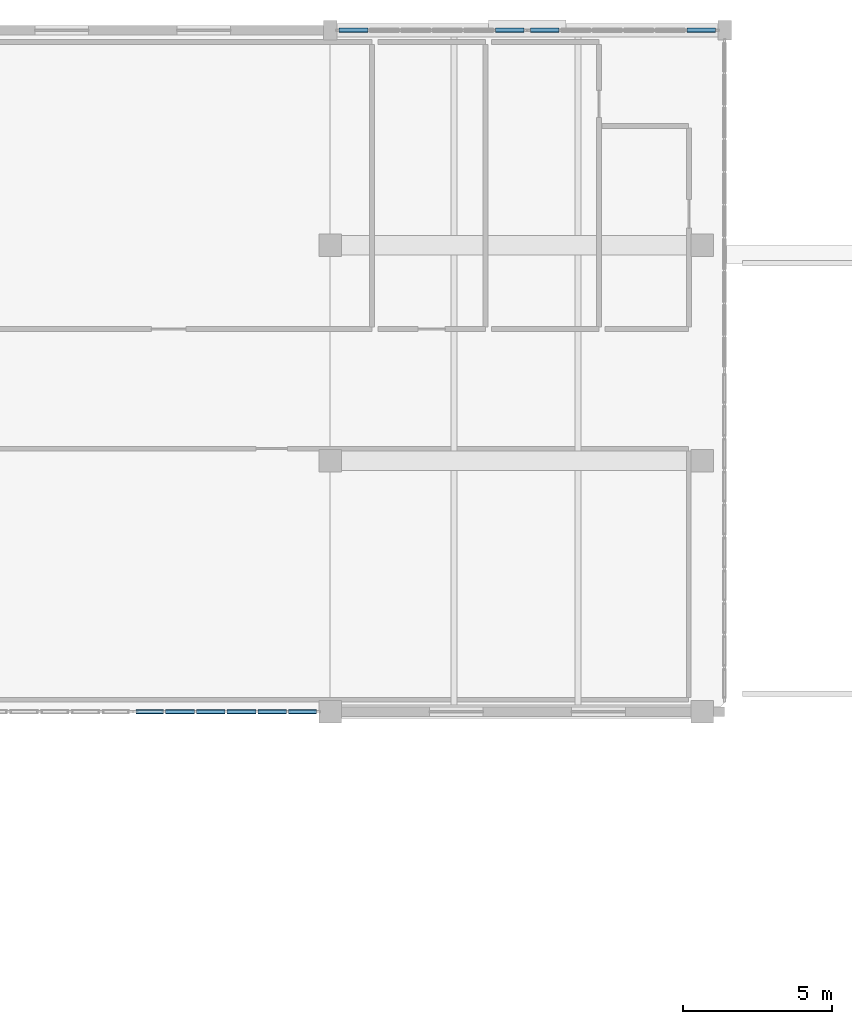
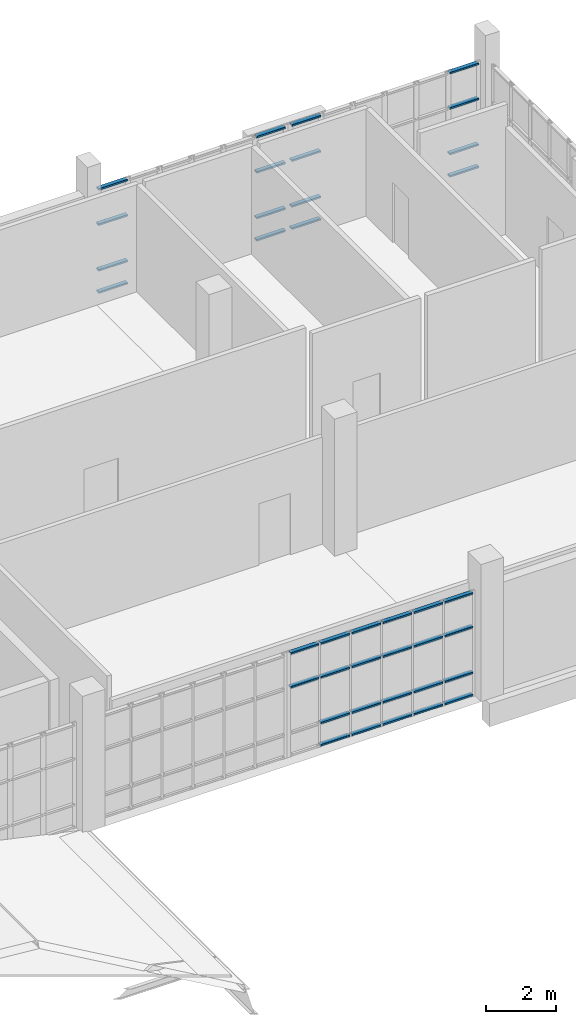
# One storey, part 65 of 106: 38 members, 3 elements without a shape of their own.
"""IFC4 building model written with IfcOpenShell, lengths in metres."""

from ifc_helpers import new_model, si_unit, direction, frame, origin, origin_2d, place, context, subcontext, project, spatial, hollow_rectangle, extrude, material, layer, layer_set, material_profile, profile_set, type_object, element, aggregate, save


model = new_model("IFC4")

# Units and contexts
model_context = context("Model", 3, precision=1e-05, world=origin(), true_north=direction((0.0, 1.0)))
body_context = subcontext(model_context, "Body", "Model", "MODEL_VIEW")
ifc_project = project(units=[si_unit("LENGTHUNIT", "METRE"), si_unit("AREAUNIT", "SQUARE_METRE"), si_unit("VOLUMEUNIT", "CUBIC_METRE"), si_unit("PLANEANGLEUNIT", "RADIAN"), si_unit("MASSUNIT", "GRAM", prefix="KILO")], contexts=[model_context])

# Site, building, storey
site_placement = place(None, origin())
site = spatial("IfcSite", under=ifc_project, at=site_placement, CompositionType="ELEMENT")
building_placement = place(site_placement, origin())
building = spatial("IfcBuilding", under=site, at=building_placement, Name="Kisaragi Civic Commons", CompositionType="ELEMENT")
storey_placement = place(building_placement, frame((0.0, 0.0, 4.800048828125)))
storey = spatial("IfcBuildingStorey", under=building, at=storey_placement, Name="L01", CompositionType="ELEMENT", Elevation=4.800048828125)

# Curtain wall, members
ifc_material = material(Name="Thermally broken anodized aluminium and low-E double glazing", Category="aluminium")
ifc_layer = layer(ifc_material, 0.179931640625, Name="Thermally broken anodized aluminium and low-E double glazing", Category="aluminium")
ifc_layer_set = layer_set([ifc_layer], Name="Thermally broken anodized aluminium and low-E double glazing")
curtain_wall_type = type_object("IfcCurtainWallType", Name="CW-01", PredefinedType="NOTDEFINED", material=ifc_layer_set)
curtain_wall_1_placement = place(storey_placement, origin())
curtain_wall_1 = element("IfcCurtainWall", 1, at=curtain_wall_1_placement, inside=storey, type_object=curtain_wall_type, Name="L01 curtain wall CW-01 CW-V4-L01-069", PredefinedType="NOTDEFINED")
ifc_material_profile = material_profile(ifc_material, hollow_rectangle(XDim=0.139892578125, YDim=0.06494140625, WallThickness=0.00439453125, InnerFilletRadius=0.00439453125, OuterFilletRadius=0.009033203125, at=origin_2d()), Name="CWT-65x140x4.5", Category="aluminium")
ifc_profile_set = profile_set([ifc_material_profile], Name="Thermally broken anodized aluminium and low-E double glazing")
member_type = type_object("IfcMemberType", Name="CWT-02", PredefinedType="USERDEFINED", material=ifc_profile_set)
member_1_placement = place(storey_placement, frame((146.705078125, 118.800048828125, 0.070068359375), z_axis=(1.0, 0.0, 0.0), x_axis=(0.0, 1.0, 0.0)))
member_1 = element("IfcMember", 2, at=member_1_placement, type_object=member_type, Name="CW-01 transom 1.1", ObjectType="TRANSOM", PredefinedType="USERDEFINED", context=body_context, shape_type="SweptSolid", body=[
    extrude(hollow_rectangle(XDim=0.139892578125, YDim=0.06494140625, WallThickness=0.00439453125, InnerFilletRadius=0.00439453125, OuterFilletRadius=0.009033203125, at=origin_2d()), origin(), (0.0, 0.0, 1.0), 0.955810546875),
])
member_2_placement = place(storey_placement, frame((146.705078125, 118.800048828125, 0.849853515625), z_axis=(1.0, 0.0, 0.0), x_axis=(0.0, 1.0, 0.0)))
member_2 = element("IfcMember", 3, at=member_2_placement, type_object=member_type, Name="CW-01 transom 1.2", ObjectType="TRANSOM", PredefinedType="USERDEFINED", context=body_context, shape_type="SweptSolid", body=[
    extrude(hollow_rectangle(XDim=0.139892578125, YDim=0.06494140625, WallThickness=0.00439453125, InnerFilletRadius=0.00439453125, OuterFilletRadius=0.009033203125, at=origin_2d()), origin(), (0.0, 0.0, 1.0), 0.955810546875),
])
member_3_placement = place(storey_placement, frame((146.705078125, 118.800048828125, 2.449951171875), z_axis=(1.0, 0.0, 0.0), x_axis=(0.0, 1.0, 0.0)))
member_3 = element("IfcMember", 4, at=member_3_placement, type_object=member_type, Name="CW-01 transom 1.3", ObjectType="TRANSOM", PredefinedType="USERDEFINED", context=body_context, shape_type="SweptSolid", body=[
    extrude(hollow_rectangle(XDim=0.139892578125, YDim=0.06494140625, WallThickness=0.00439453125, InnerFilletRadius=0.00439453125, OuterFilletRadius=0.009033203125, at=origin_2d()), origin(), (0.0, 0.0, 1.0), 0.955810546875),
])
member_4_placement = place(storey_placement, frame((146.705078125, 118.800048828125, 3.68505859375), z_axis=(1.0, 0.0, 0.0), x_axis=(0.0, 1.0, 0.0)))
member_4 = element("IfcMember", 5, at=member_4_placement, type_object=member_type, Name="CW-01 transom 1.4", ObjectType="TRANSOM", PredefinedType="USERDEFINED", context=body_context, shape_type="SweptSolid", body=[
    extrude(hollow_rectangle(XDim=0.139892578125, YDim=0.06494140625, WallThickness=0.00439453125, InnerFilletRadius=0.00439453125, OuterFilletRadius=0.009033203125, at=origin_2d()), origin(), (0.0, 0.0, 1.0), 0.955810546875),
])
member_5_placement = place(storey_placement, frame((151.939208984375, 118.800048828125, 0.070068359375), z_axis=(1.0, 0.0, 0.0), x_axis=(0.0, 1.0, 0.0)))
member_5 = element("IfcMember", 6, at=member_5_placement, type_object=member_type, Name="CW-01 transom 6.1", ObjectType="TRANSOM", PredefinedType="USERDEFINED", context=body_context, shape_type="SweptSolid", body=[
    extrude(hollow_rectangle(XDim=0.139892578125, YDim=0.06494140625, WallThickness=0.00439453125, InnerFilletRadius=0.00439453125, OuterFilletRadius=0.009033203125, at=origin_2d()), origin(), (0.0, 0.0, 1.0), 0.955810546875),
])
member_6_placement = place(storey_placement, frame((151.939208984375, 118.800048828125, 0.849853515625), z_axis=(1.0, 0.0, 0.0), x_axis=(0.0, 1.0, 0.0)))
member_6 = element("IfcMember", 7, at=member_6_placement, type_object=member_type, Name="CW-01 transom 6.2", ObjectType="TRANSOM", PredefinedType="USERDEFINED", context=body_context, shape_type="SweptSolid", body=[
    extrude(hollow_rectangle(XDim=0.139892578125, YDim=0.06494140625, WallThickness=0.00439453125, InnerFilletRadius=0.00439453125, OuterFilletRadius=0.009033203125, at=origin_2d()), origin(), (0.0, 0.0, 1.0), 0.955810546875),
])
member_7_placement = place(storey_placement, frame((151.939208984375, 118.800048828125, 2.449951171875), z_axis=(1.0, 0.0, 0.0), x_axis=(0.0, 1.0, 0.0)))
member_7 = element("IfcMember", 8, at=member_7_placement, type_object=member_type, Name="CW-01 transom 6.3", ObjectType="TRANSOM", PredefinedType="USERDEFINED", context=body_context, shape_type="SweptSolid", body=[
    extrude(hollow_rectangle(XDim=0.139892578125, YDim=0.06494140625, WallThickness=0.00439453125, InnerFilletRadius=0.00439453125, OuterFilletRadius=0.009033203125, at=origin_2d()), origin(), (0.0, 0.0, 1.0), 0.955810546875),
])
member_8_placement = place(storey_placement, frame((151.939208984375, 118.800048828125, 3.68505859375), z_axis=(1.0, 0.0, 0.0), x_axis=(0.0, 1.0, 0.0)))
member_8 = element("IfcMember", 9, at=member_8_placement, type_object=member_type, Name="CW-01 transom 6.4", ObjectType="TRANSOM", PredefinedType="USERDEFINED", context=body_context, shape_type="SweptSolid", body=[
    extrude(hollow_rectangle(XDim=0.139892578125, YDim=0.06494140625, WallThickness=0.00439453125, InnerFilletRadius=0.00439453125, OuterFilletRadius=0.009033203125, at=origin_2d()), origin(), (0.0, 0.0, 1.0), 0.955810546875),
])
aggregate(curtain_wall_1, [member_1, member_2, member_3, member_4, member_5, member_6, member_7, member_8])

curtain_wall_2_placement = place(storey_placement, origin())
curtain_wall_2 = element("IfcCurtainWall", 10, at=curtain_wall_2_placement, inside=storey, type_object=curtain_wall_type, Name="L01 curtain wall CW-01 CW-V4-L01-070", PredefinedType="NOTDEFINED")
member_9_placement = place(storey_placement, frame((153.10498046875, 118.800048828125, 0.070068359375), z_axis=(1.0, 0.0, 0.0), x_axis=(0.0, 1.0, 0.0)))
member_9 = element("IfcMember", 11, at=member_9_placement, type_object=member_type, Name="CW-01 transom 1.1", ObjectType="TRANSOM", PredefinedType="USERDEFINED", context=body_context, shape_type="SweptSolid", body=[
    extrude(hollow_rectangle(XDim=0.139892578125, YDim=0.06494140625, WallThickness=0.00439453125, InnerFilletRadius=0.00439453125, OuterFilletRadius=0.009033203125, at=origin_2d()), origin(), (0.0, 0.0, 1.0), 0.955810546875),
])
member_10_placement = place(storey_placement, frame((153.10498046875, 118.800048828125, 0.849853515625), z_axis=(1.0, 0.0, 0.0), x_axis=(0.0, 1.0, 0.0)))
member_10 = element("IfcMember", 12, at=member_10_placement, type_object=member_type, Name="CW-01 transom 1.2", ObjectType="TRANSOM", PredefinedType="USERDEFINED", context=body_context, shape_type="SweptSolid", body=[
    extrude(hollow_rectangle(XDim=0.139892578125, YDim=0.06494140625, WallThickness=0.00439453125, InnerFilletRadius=0.00439453125, OuterFilletRadius=0.009033203125, at=origin_2d()), origin(), (0.0, 0.0, 1.0), 0.955810546875),
])
member_11_placement = place(storey_placement, frame((153.10498046875, 118.800048828125, 2.449951171875), z_axis=(1.0, 0.0, 0.0), x_axis=(0.0, 1.0, 0.0)))
member_11 = element("IfcMember", 13, at=member_11_placement, type_object=member_type, Name="CW-01 transom 1.3", ObjectType="TRANSOM", PredefinedType="USERDEFINED", context=body_context, shape_type="SweptSolid", body=[
    extrude(hollow_rectangle(XDim=0.139892578125, YDim=0.06494140625, WallThickness=0.00439453125, InnerFilletRadius=0.00439453125, OuterFilletRadius=0.009033203125, at=origin_2d()), origin(), (0.0, 0.0, 1.0), 0.955810546875),
])
member_12_placement = place(storey_placement, frame((153.10498046875, 118.800048828125, 3.68505859375), z_axis=(1.0, 0.0, 0.0), x_axis=(0.0, 1.0, 0.0)))
member_12 = element("IfcMember", 14, at=member_12_placement, type_object=member_type, Name="CW-01 transom 1.4", ObjectType="TRANSOM", PredefinedType="USERDEFINED", context=body_context, shape_type="SweptSolid", body=[
    extrude(hollow_rectangle(XDim=0.139892578125, YDim=0.06494140625, WallThickness=0.00439453125, InnerFilletRadius=0.00439453125, OuterFilletRadius=0.009033203125, at=origin_2d()), origin(), (0.0, 0.0, 1.0), 0.955810546875),
])
member_13_placement = place(storey_placement, frame((158.339111328125, 118.800048828125, 0.070068359375), z_axis=(1.0, 0.0, 0.0), x_axis=(0.0, 1.0, 0.0)))
member_13 = element("IfcMember", 15, at=member_13_placement, type_object=member_type, Name="CW-01 transom 6.1", ObjectType="TRANSOM", PredefinedType="USERDEFINED", context=body_context, shape_type="SweptSolid", body=[
    extrude(hollow_rectangle(XDim=0.139892578125, YDim=0.06494140625, WallThickness=0.00439453125, InnerFilletRadius=0.00439453125, OuterFilletRadius=0.009033203125, at=origin_2d()), origin(), (0.0, 0.0, 1.0), 0.955810546875),
])
member_14_placement = place(storey_placement, frame((158.339111328125, 118.800048828125, 0.849853515625), z_axis=(1.0, 0.0, 0.0), x_axis=(0.0, 1.0, 0.0)))
member_14 = element("IfcMember", 16, at=member_14_placement, type_object=member_type, Name="CW-01 transom 6.2", ObjectType="TRANSOM", PredefinedType="USERDEFINED", context=body_context, shape_type="SweptSolid", body=[
    extrude(hollow_rectangle(XDim=0.139892578125, YDim=0.06494140625, WallThickness=0.00439453125, InnerFilletRadius=0.00439453125, OuterFilletRadius=0.009033203125, at=origin_2d()), origin(), (0.0, 0.0, 1.0), 0.955810546875),
])
member_15_placement = place(storey_placement, frame((158.339111328125, 118.800048828125, 2.449951171875), z_axis=(1.0, 0.0, 0.0), x_axis=(0.0, 1.0, 0.0)))
member_15 = element("IfcMember", 17, at=member_15_placement, type_object=member_type, Name="CW-01 transom 6.3", ObjectType="TRANSOM", PredefinedType="USERDEFINED", context=body_context, shape_type="SweptSolid", body=[
    extrude(hollow_rectangle(XDim=0.139892578125, YDim=0.06494140625, WallThickness=0.00439453125, InnerFilletRadius=0.00439453125, OuterFilletRadius=0.009033203125, at=origin_2d()), origin(), (0.0, 0.0, 1.0), 0.955810546875),
])
member_16_placement = place(storey_placement, frame((158.339111328125, 118.800048828125, 3.68505859375), z_axis=(1.0, 0.0, 0.0), x_axis=(0.0, 1.0, 0.0)))
member_16 = element("IfcMember", 18, at=member_16_placement, type_object=member_type, Name="CW-01 transom 6.4", ObjectType="TRANSOM", PredefinedType="USERDEFINED", context=body_context, shape_type="SweptSolid", body=[
    extrude(hollow_rectangle(XDim=0.139892578125, YDim=0.06494140625, WallThickness=0.00439453125, InnerFilletRadius=0.00439453125, OuterFilletRadius=0.009033203125, at=origin_2d()), origin(), (0.0, 0.0, 1.0), 0.955810546875),
])
aggregate(curtain_wall_2, [member_9, member_10, member_11, member_12, member_13, member_14, member_15, member_16])

curtain_wall_3_placement = place(storey_placement, origin())
curtain_wall_3 = element("IfcCurtainWall", 19, at=curtain_wall_3_placement, inside=storey, type_object=curtain_wall_type, Name="L01 curtain wall CW-01 CW-V4-L01-073", PredefinedType="NOTDEFINED")
member_17_placement = place(storey_placement, frame((145.945068359375, 96.0, 0.070068359375), z_axis=(-1.0, 0.0, 0.0), x_axis=(0.0, -1.0, 0.0)))
member_17 = element("IfcMember", 20, at=member_17_placement, type_object=member_type, Name="CW-01 transom 1.1", ObjectType="TRANSOM", PredefinedType="USERDEFINED", context=body_context, shape_type="SweptSolid", body=[
    extrude(hollow_rectangle(XDim=0.139892578125, YDim=0.06494140625, WallThickness=0.00439453125, InnerFilletRadius=0.00439453125, OuterFilletRadius=0.009033203125, at=origin_2d()), origin(), (0.0, 0.0, 1.0), 0.930908203125),
])
member_18_placement = place(storey_placement, frame((145.945068359375, 96.0, 0.849853515625), z_axis=(-1.0, 0.0, 0.0), x_axis=(0.0, -1.0, 0.0)))
member_18 = element("IfcMember", 21, at=member_18_placement, type_object=member_type, Name="CW-01 transom 1.2", ObjectType="TRANSOM", PredefinedType="USERDEFINED", context=body_context, shape_type="SweptSolid", body=[
    extrude(hollow_rectangle(XDim=0.139892578125, YDim=0.06494140625, WallThickness=0.00439453125, InnerFilletRadius=0.00439453125, OuterFilletRadius=0.009033203125, at=origin_2d()), origin(), (0.0, 0.0, 1.0), 0.930908203125),
])
member_19_placement = place(storey_placement, frame((145.945068359375, 96.0, 2.449951171875), z_axis=(-1.0, 0.0, 0.0), x_axis=(0.0, -1.0, 0.0)))
member_19 = element("IfcMember", 22, at=member_19_placement, type_object=member_type, Name="CW-01 transom 1.3", ObjectType="TRANSOM", PredefinedType="USERDEFINED", context=body_context, shape_type="SweptSolid", body=[
    extrude(hollow_rectangle(XDim=0.139892578125, YDim=0.06494140625, WallThickness=0.00439453125, InnerFilletRadius=0.00439453125, OuterFilletRadius=0.009033203125, at=origin_2d()), origin(), (0.0, 0.0, 1.0), 0.930908203125),
])
member_20_placement = place(storey_placement, frame((145.945068359375, 96.0, 3.635009765625), z_axis=(-1.0, 0.0, 0.0), x_axis=(0.0, -1.0, 0.0)))
member_20 = element("IfcMember", 23, at=member_20_placement, type_object=member_type, Name="CW-01 transom 1.4", ObjectType="TRANSOM", PredefinedType="USERDEFINED", context=body_context, shape_type="SweptSolid", body=[
    extrude(hollow_rectangle(XDim=0.139892578125, YDim=0.06494140625, WallThickness=0.00439453125, InnerFilletRadius=0.00439453125, OuterFilletRadius=0.009033203125, at=origin_2d()), origin(), (0.0, 0.0, 1.0), 0.930908203125),
])
member_21_placement = place(storey_placement, frame((144.94921875, 96.0, 0.070068359375), z_axis=(-1.0, 0.0, 0.0), x_axis=(0.0, -1.0, 0.0)))
member_21 = element("IfcMember", 24, at=member_21_placement, type_object=member_type, Name="CW-01 transom 2.1", ObjectType="TRANSOM", PredefinedType="USERDEFINED", context=body_context, shape_type="SweptSolid", body=[
    extrude(hollow_rectangle(XDim=0.139892578125, YDim=0.06494140625, WallThickness=0.00439453125, InnerFilletRadius=0.00439453125, OuterFilletRadius=0.009033203125, at=origin_2d()), origin(), (0.0, 0.0, 1.0), 0.96337890625),
])
member_22_placement = place(storey_placement, frame((144.94921875, 96.0, 0.849853515625), z_axis=(-1.0, 0.0, 0.0), x_axis=(0.0, -1.0, 0.0)))
member_22 = element("IfcMember", 25, at=member_22_placement, type_object=member_type, Name="CW-01 transom 2.2", ObjectType="TRANSOM", PredefinedType="USERDEFINED", context=body_context, shape_type="SweptSolid", body=[
    extrude(hollow_rectangle(XDim=0.139892578125, YDim=0.06494140625, WallThickness=0.00439453125, InnerFilletRadius=0.00439453125, OuterFilletRadius=0.009033203125, at=origin_2d()), origin(), (0.0, 0.0, 1.0), 0.96337890625),
])
member_23_placement = place(storey_placement, frame((144.94921875, 96.0, 2.449951171875), z_axis=(-1.0, 0.0, 0.0), x_axis=(0.0, -1.0, 0.0)))
member_23 = element("IfcMember", 26, at=member_23_placement, type_object=member_type, Name="CW-01 transom 2.3", ObjectType="TRANSOM", PredefinedType="USERDEFINED", context=body_context, shape_type="SweptSolid", body=[
    extrude(hollow_rectangle(XDim=0.139892578125, YDim=0.06494140625, WallThickness=0.00439453125, InnerFilletRadius=0.00439453125, OuterFilletRadius=0.009033203125, at=origin_2d()), origin(), (0.0, 0.0, 1.0), 0.96337890625),
])
member_24_placement = place(storey_placement, frame((144.94921875, 96.0, 3.635009765625), z_axis=(-1.0, 0.0, 0.0), x_axis=(0.0, -1.0, 0.0)))
member_24 = element("IfcMember", 27, at=member_24_placement, type_object=member_type, Name="CW-01 transom 2.4", ObjectType="TRANSOM", PredefinedType="USERDEFINED", context=body_context, shape_type="SweptSolid", body=[
    extrude(hollow_rectangle(XDim=0.139892578125, YDim=0.06494140625, WallThickness=0.00439453125, InnerFilletRadius=0.00439453125, OuterFilletRadius=0.009033203125, at=origin_2d()), origin(), (0.0, 0.0, 1.0), 0.96337890625),
])
member_25_placement = place(storey_placement, frame((143.9208984375, 96.0, 0.070068359375), z_axis=(-1.0, 0.0, 0.0), x_axis=(0.0, -1.0, 0.0)))
member_25 = element("IfcMember", 28, at=member_25_placement, type_object=member_type, Name="CW-01 transom 3.1", ObjectType="TRANSOM", PredefinedType="USERDEFINED", context=body_context, shape_type="SweptSolid", body=[
    extrude(hollow_rectangle(XDim=0.139892578125, YDim=0.06494140625, WallThickness=0.00439453125, InnerFilletRadius=0.00439453125, OuterFilletRadius=0.009033203125, at=origin_2d()), origin(), (0.0, 0.0, 1.0), 0.96337890625),
])
member_26_placement = place(storey_placement, frame((143.9208984375, 96.0, 0.849853515625), z_axis=(-1.0, 0.0, 0.0), x_axis=(0.0, -1.0, 0.0)))
member_26 = element("IfcMember", 29, at=member_26_placement, type_object=member_type, Name="CW-01 transom 3.2", ObjectType="TRANSOM", PredefinedType="USERDEFINED", context=body_context, shape_type="SweptSolid", body=[
    extrude(hollow_rectangle(XDim=0.139892578125, YDim=0.06494140625, WallThickness=0.00439453125, InnerFilletRadius=0.00439453125, OuterFilletRadius=0.009033203125, at=origin_2d()), origin(), (0.0, 0.0, 1.0), 0.96337890625),
])
member_27_placement = place(storey_placement, frame((143.9208984375, 96.0, 2.449951171875), z_axis=(-1.0, 0.0, 0.0), x_axis=(0.0, -1.0, 0.0)))
member_27 = element("IfcMember", 30, at=member_27_placement, type_object=member_type, Name="CW-01 transom 3.3", ObjectType="TRANSOM", PredefinedType="USERDEFINED", context=body_context, shape_type="SweptSolid", body=[
    extrude(hollow_rectangle(XDim=0.139892578125, YDim=0.06494140625, WallThickness=0.00439453125, InnerFilletRadius=0.00439453125, OuterFilletRadius=0.009033203125, at=origin_2d()), origin(), (0.0, 0.0, 1.0), 0.96337890625),
])
member_28_placement = place(storey_placement, frame((143.9208984375, 96.0, 3.635009765625), z_axis=(-1.0, 0.0, 0.0), x_axis=(0.0, -1.0, 0.0)))
member_28 = element("IfcMember", 31, at=member_28_placement, type_object=member_type, Name="CW-01 transom 3.4", ObjectType="TRANSOM", PredefinedType="USERDEFINED", context=body_context, shape_type="SweptSolid", body=[
    extrude(hollow_rectangle(XDim=0.139892578125, YDim=0.06494140625, WallThickness=0.00439453125, InnerFilletRadius=0.00439453125, OuterFilletRadius=0.009033203125, at=origin_2d()), origin(), (0.0, 0.0, 1.0), 0.96337890625),
])
member_29_placement = place(storey_placement, frame((142.892578125, 96.0, 0.070068359375), z_axis=(-1.0, 0.0, 0.0), x_axis=(0.0, -1.0, 0.0)))
member_29 = element("IfcMember", 32, at=member_29_placement, type_object=member_type, Name="CW-01 transom 4.1", ObjectType="TRANSOM", PredefinedType="USERDEFINED", context=body_context, shape_type="SweptSolid", body=[
    extrude(hollow_rectangle(XDim=0.139892578125, YDim=0.06494140625, WallThickness=0.00439453125, InnerFilletRadius=0.00439453125, OuterFilletRadius=0.009033203125, at=origin_2d()), origin(), (0.0, 0.0, 1.0), 0.96337890625),
])
member_30_placement = place(storey_placement, frame((142.892578125, 96.0, 0.849853515625), z_axis=(-1.0, 0.0, 0.0), x_axis=(0.0, -1.0, 0.0)))
member_30 = element("IfcMember", 33, at=member_30_placement, type_object=member_type, Name="CW-01 transom 4.2", ObjectType="TRANSOM", PredefinedType="USERDEFINED", context=body_context, shape_type="SweptSolid", body=[
    extrude(hollow_rectangle(XDim=0.139892578125, YDim=0.06494140625, WallThickness=0.00439453125, InnerFilletRadius=0.00439453125, OuterFilletRadius=0.009033203125, at=origin_2d()), origin(), (0.0, 0.0, 1.0), 0.96337890625),
])
member_31_placement = place(storey_placement, frame((142.892578125, 96.0, 2.449951171875), z_axis=(-1.0, 0.0, 0.0), x_axis=(0.0, -1.0, 0.0)))
member_31 = element("IfcMember", 34, at=member_31_placement, type_object=member_type, Name="CW-01 transom 4.3", ObjectType="TRANSOM", PredefinedType="USERDEFINED", context=body_context, shape_type="SweptSolid", body=[
    extrude(hollow_rectangle(XDim=0.139892578125, YDim=0.06494140625, WallThickness=0.00439453125, InnerFilletRadius=0.00439453125, OuterFilletRadius=0.009033203125, at=origin_2d()), origin(), (0.0, 0.0, 1.0), 0.96337890625),
])
member_32_placement = place(storey_placement, frame((142.892578125, 96.0, 3.635009765625), z_axis=(-1.0, 0.0, 0.0), x_axis=(0.0, -1.0, 0.0)))
member_32 = element("IfcMember", 35, at=member_32_placement, type_object=member_type, Name="CW-01 transom 4.4", ObjectType="TRANSOM", PredefinedType="USERDEFINED", context=body_context, shape_type="SweptSolid", body=[
    extrude(hollow_rectangle(XDim=0.139892578125, YDim=0.06494140625, WallThickness=0.00439453125, InnerFilletRadius=0.00439453125, OuterFilletRadius=0.009033203125, at=origin_2d()), origin(), (0.0, 0.0, 1.0), 0.96337890625),
])
member_33_placement = place(storey_placement, frame((141.8642578125, 96.0, 0.070068359375), z_axis=(-1.0, 0.0, 0.0), x_axis=(0.0, -1.0, 0.0)))
member_33 = element("IfcMember", 36, at=member_33_placement, type_object=member_type, Name="CW-01 transom 5.1", ObjectType="TRANSOM", PredefinedType="USERDEFINED", context=body_context, shape_type="SweptSolid", body=[
    extrude(hollow_rectangle(XDim=0.139892578125, YDim=0.06494140625, WallThickness=0.00439453125, InnerFilletRadius=0.00439453125, OuterFilletRadius=0.009033203125, at=origin_2d()), origin(), (0.0, 0.0, 1.0), 0.96337890625),
])
member_34_placement = place(storey_placement, frame((141.8642578125, 96.0, 0.849853515625), z_axis=(-1.0, 0.0, 0.0), x_axis=(0.0, -1.0, 0.0)))
member_34 = element("IfcMember", 37, at=member_34_placement, type_object=member_type, Name="CW-01 transom 5.2", ObjectType="TRANSOM", PredefinedType="USERDEFINED", context=body_context, shape_type="SweptSolid", body=[
    extrude(hollow_rectangle(XDim=0.139892578125, YDim=0.06494140625, WallThickness=0.00439453125, InnerFilletRadius=0.00439453125, OuterFilletRadius=0.009033203125, at=origin_2d()), origin(), (0.0, 0.0, 1.0), 0.96337890625),
])
member_35_placement = place(storey_placement, frame((141.8642578125, 96.0, 2.449951171875), z_axis=(-1.0, 0.0, 0.0), x_axis=(0.0, -1.0, 0.0)))
member_35 = element("IfcMember", 38, at=member_35_placement, type_object=member_type, Name="CW-01 transom 5.3", ObjectType="TRANSOM", PredefinedType="USERDEFINED", context=body_context, shape_type="SweptSolid", body=[
    extrude(hollow_rectangle(XDim=0.139892578125, YDim=0.06494140625, WallThickness=0.00439453125, InnerFilletRadius=0.00439453125, OuterFilletRadius=0.009033203125, at=origin_2d()), origin(), (0.0, 0.0, 1.0), 0.96337890625),
])
member_36_placement = place(storey_placement, frame((141.8642578125, 96.0, 3.635009765625), z_axis=(-1.0, 0.0, 0.0), x_axis=(0.0, -1.0, 0.0)))
member_36 = element("IfcMember", 39, at=member_36_placement, type_object=member_type, Name="CW-01 transom 5.4", ObjectType="TRANSOM", PredefinedType="USERDEFINED", context=body_context, shape_type="SweptSolid", body=[
    extrude(hollow_rectangle(XDim=0.139892578125, YDim=0.06494140625, WallThickness=0.00439453125, InnerFilletRadius=0.00439453125, OuterFilletRadius=0.009033203125, at=origin_2d()), origin(), (0.0, 0.0, 1.0), 0.96337890625),
])
member_37_placement = place(storey_placement, frame((140.8359375, 96.0, 2.449951171875), z_axis=(-1.0, 0.0, 0.0), x_axis=(0.0, -1.0, 0.0)))
member_37 = element("IfcMember", 40, at=member_37_placement, type_object=member_type, Name="CW-01 transom 6.3", ObjectType="TRANSOM", PredefinedType="USERDEFINED", context=body_context, shape_type="SweptSolid", body=[
    extrude(hollow_rectangle(XDim=0.139892578125, YDim=0.06494140625, WallThickness=0.00439453125, InnerFilletRadius=0.00439453125, OuterFilletRadius=0.009033203125, at=origin_2d()), origin(), (0.0, 0.0, 1.0), 0.930908203125),
])
member_38_placement = place(storey_placement, frame((140.8359375, 96.0, 3.635009765625), z_axis=(-1.0, 0.0, 0.0), x_axis=(0.0, -1.0, 0.0)))
member_38 = element("IfcMember", 41, at=member_38_placement, type_object=member_type, Name="CW-01 transom 6.4", ObjectType="TRANSOM", PredefinedType="USERDEFINED", context=body_context, shape_type="SweptSolid", body=[
    extrude(hollow_rectangle(XDim=0.139892578125, YDim=0.06494140625, WallThickness=0.00439453125, InnerFilletRadius=0.00439453125, OuterFilletRadius=0.009033203125, at=origin_2d()), origin(), (0.0, 0.0, 1.0), 0.930908203125),
])
aggregate(curtain_wall_3, [member_17, member_18, member_19, member_20, member_21, member_22, member_23, member_24, member_25, member_26, member_27, member_28, member_29, member_30, member_31, member_32, member_33, member_34, member_35, member_36, member_37, member_38])

save(model, "model.ifc")
